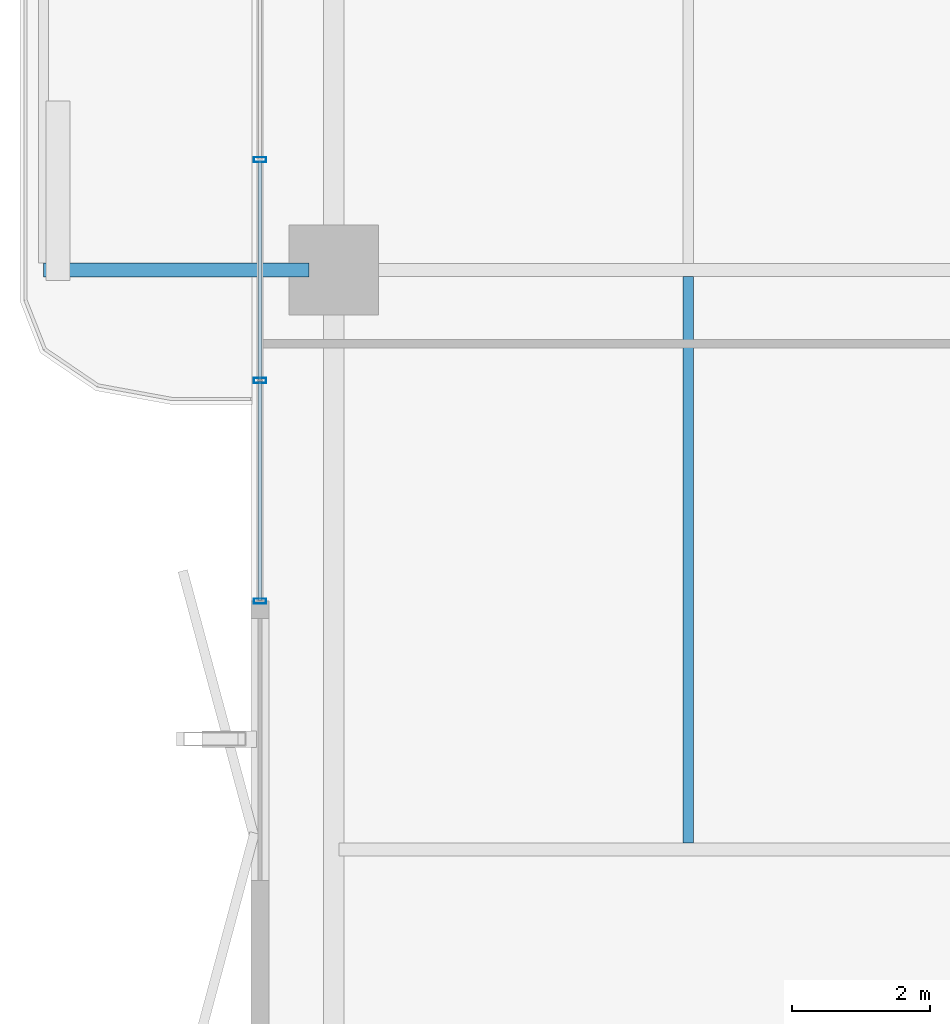
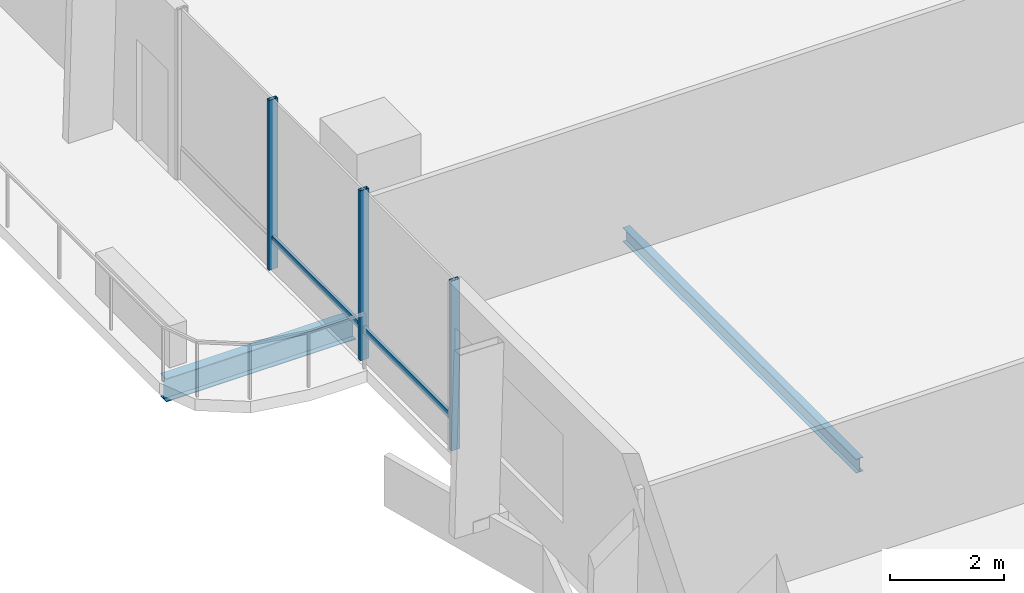
# One storey, part 4 of 23: 5 members, 2 beams, 1 element without a shape of its own.
"""IFC4 building model written with IfcOpenShell, lengths in metres."""

from ifc_helpers import new_model, si_unit, direction, frame, origin, origin_2d, place, context, subcontext, project, spatial, hollow_rectangle, i_section, extrude, material, layer, layer_set, material_profile, profile_set, type_object, element, aggregate, save


model = new_model("IFC4")

# Units and contexts
model_context = context("Model", 3, precision=1e-05, world=origin(), true_north=direction((0.0, 1.0)))
body_context = subcontext(model_context, "Body", "Model", "MODEL_VIEW")
ifc_project = project(units=[si_unit("LENGTHUNIT", "METRE"), si_unit("AREAUNIT", "SQUARE_METRE"), si_unit("VOLUMEUNIT", "CUBIC_METRE"), si_unit("PLANEANGLEUNIT", "RADIAN"), si_unit("MASSUNIT", "GRAM", prefix="KILO")], contexts=[model_context])

# Site, building, storey
site_placement = place(None, origin())
site = spatial("IfcSite", under=ifc_project, at=site_placement, CompositionType="ELEMENT")
building_placement = place(site_placement, origin())
building = spatial("IfcBuilding", under=site, at=building_placement, Name="Belovzor Exchange Tower", CompositionType="ELEMENT")
storey_placement = place(building_placement, frame((0.0, 0.0, 125.10009765625)))
storey = spatial("IfcBuildingStorey", under=building, at=storey_placement, Name="L30", CompositionType="ELEMENT", Elevation=125.10009765625)

# Beams
ifc_material_1 = material(Name="Steel S355", Category="steel")
ifc_material_profile_1 = material_profile(ifc_material_1, i_section(OverallWidth=0.199951171875, OverallDepth=0.5, WebThickness=0.01025390625, FlangeThickness=0.01611328125, at=origin_2d()))
ifc_profile_set_1 = profile_set([ifc_material_profile_1], Name="Steel S355")
beam_type_1 = type_object("IfcBeamType", Name="Planted Balcony Cantilever Beam IPE 500", PredefinedType="BEAM", material=ifc_profile_set_1)
beam_1_placement = place(storey_placement, frame((3.5419921875, 28.800048828125, -0.5), z_axis=(-1.0, 0.0, 0.0), x_axis=(0.0, -1.0, 0.0)))
element("IfcBeam", 1, at=beam_1_placement, inside=storey, type_object=beam_type_1, Name="BC-500 Planted Balcony Cantilever Beam IPE 500", PredefinedType="BEAM", context=body_context, shape_type="SweptSolid", body=[
    extrude(i_section(OverallWidth=0.199951171875, OverallDepth=0.5, WebThickness=0.01025390625, FlangeThickness=0.01611328125, at=origin_2d()), origin(), (0.0, 0.0, 1.0), 3.85009765625),
])
ifc_material_2 = material(Name="Steel S355", Category="steel")
ifc_material_profile_2 = material_profile(ifc_material_2, i_section(OverallWidth=0.14990234375, OverallDepth=0.300048828125, WebThickness=0.007080078125, FlangeThickness=0.0107421875, at=origin_2d()))
ifc_profile_set_2 = profile_set([ifc_material_profile_2], Name="Steel S355")
beam_type_2 = type_object("IfcBeamType", Name="Secondary Trim Floor Joist IPE 300", PredefinedType="BEAM", material=ifc_profile_set_2)
beam_2_placement = place(storey_placement, frame((9.0390625, 20.4951171875, -0.400146484375), z_axis=(0.0, 1.0, 0.0), x_axis=(-1.0, 0.0, 0.0)))
element("IfcBeam", 2, at=beam_2_placement, inside=storey, type_object=beam_type_2, Name="FJ-300 Secondary Trim Floor Joist IPE 300", PredefinedType="BEAM", context=body_context, shape_type="SweptSolid", body=[
    extrude(i_section(OverallWidth=0.14990234375, OverallDepth=0.300048828125, WebThickness=0.007080078125, FlangeThickness=0.0107421875, at=origin_2d()), origin(), (0.0, 0.0, 1.0), 8.2099609375),
])

# Curtain wall, members
ifc_material_3 = material(Name="Anodised Aluminium Framing", Category="aluminium")
ifc_layer = layer(ifc_material_3, 0.179931640625)
ifc_layer_set = layer_set([ifc_layer], Name="Anodised Aluminium Framing")
curtain_wall_type = type_object("IfcCurtainWallType", Name="Recessed Loggia Low-Iron Triple-Glazed Curtain Wall", PredefinedType="NOTDEFINED", material=ifc_layer_set)
curtain_wall_placement = place(storey_placement, origin())
curtain_wall = element("IfcCurtainWall", 3, at=curtain_wall_placement, inside=storey, type_object=curtain_wall_type, Name="CW3 Recessed Loggia Low-Iron Triple-Glazed Curtain Wall L30", PredefinedType="NOTDEFINED")
ifc_material_4 = material(Name="Steel S355", Category="steel")
ifc_material_profile_3 = material_profile(ifc_material_4, hollow_rectangle(XDim=0.074951171875, YDim=0.179931640625, WallThickness=0.0048828125, at=origin_2d()))
ifc_profile_set_3 = profile_set([ifc_material_profile_3], Name="Steel S355")
member_type_1 = type_object("IfcMemberType", Name="Thermally Broken Curtain Wall Mullion 180x75", PredefinedType="MULLION", material=ifc_profile_set_3)
member_1_placement = place(storey_placement, frame((2.830078125, 24.0, 0.0), z_axis=(0.0, 0.0, 1.0), x_axis=(0.0, 1.0, 0.0)))
member_1 = element("IfcMember", 4, at=member_1_placement, type_object=member_type_1, Name="CW-M180 Curtain Wall Mullion 1", PredefinedType="MULLION", context=body_context, shape_type="SweptSolid", body=[
    extrude(hollow_rectangle(XDim=0.074951171875, YDim=0.179931640625, WallThickness=0.0048828125, at=origin_2d()), origin(), (0.0, 0.0, 1.0), 3.64990234375),
])
member_2_placement = place(storey_placement, frame((2.830078125, 27.199951171875, 0.0), z_axis=(0.0, 0.0, 1.0), x_axis=(0.0, 1.0, 0.0)))
member_2 = element("IfcMember", 5, at=member_2_placement, type_object=member_type_1, Name="CW-M180 Curtain Wall Mullion 2", PredefinedType="MULLION", context=body_context, shape_type="SweptSolid", body=[
    extrude(hollow_rectangle(XDim=0.074951171875, YDim=0.179931640625, WallThickness=0.0048828125, at=origin_2d()), origin(), (0.0, 0.0, 1.0), 3.64990234375),
])
member_3_placement = place(storey_placement, frame((2.830078125, 30.39990234375, 0.0), z_axis=(0.0, 0.0, 1.0), x_axis=(0.0, 1.0, 0.0)))
member_3 = element("IfcMember", 6, at=member_3_placement, type_object=member_type_1, Name="CW-M180 Curtain Wall Mullion 3", PredefinedType="MULLION", context=body_context, shape_type="SweptSolid", body=[
    extrude(hollow_rectangle(XDim=0.074951171875, YDim=0.179931640625, WallThickness=0.0048828125, at=origin_2d()), origin(), (0.0, 0.0, 1.0), 3.64990234375),
])
ifc_material_5 = material(Name="Steel S355", Category="steel")
ifc_material_profile_4 = material_profile(ifc_material_5, hollow_rectangle(XDim=0.06005859375, YDim=0.14990234375, WallThickness=0.00390625, at=origin_2d()))
ifc_profile_set_4 = profile_set([ifc_material_profile_4], Name="Steel S355")
member_type_2 = type_object("IfcMemberType", Name="Thermally Broken Curtain Wall Transom 150x60", PredefinedType="USERDEFINED", material=ifc_profile_set_4)
member_4_placement = place(storey_placement, frame((2.830078125, 24.008056640625, 0.64990234375), z_axis=(0.0, 1.0, 0.0), x_axis=(-1.0, 0.0, 0.0)))
member_4 = element("IfcMember", 7, at=member_4_placement, type_object=member_type_2, Name="CW-T150 Curtain Wall Transom 1", ObjectType="TRANSOM", PredefinedType="USERDEFINED", context=body_context, shape_type="SweptSolid", body=[
    extrude(hollow_rectangle(XDim=0.06005859375, YDim=0.14990234375, WallThickness=0.00390625, at=origin_2d()), origin(), (0.0, 0.0, 1.0), 3.183837890625),
])
member_5_placement = place(storey_placement, frame((2.830078125, 27.2080078125, 0.64990234375), z_axis=(0.0, 1.0, 0.0), x_axis=(-1.0, 0.0, 0.0)))
member_5 = element("IfcMember", 8, at=member_5_placement, type_object=member_type_2, Name="CW-T150 Curtain Wall Transom 2", ObjectType="TRANSOM", PredefinedType="USERDEFINED", context=body_context, shape_type="SweptSolid", body=[
    extrude(hollow_rectangle(XDim=0.06005859375, YDim=0.14990234375, WallThickness=0.00390625, at=origin_2d()), origin(), (0.0, 0.0, 1.0), 3.18408203125),
])
aggregate(curtain_wall, [member_1, member_2, member_3, member_4, member_5])

save(model, "model.ifc")
